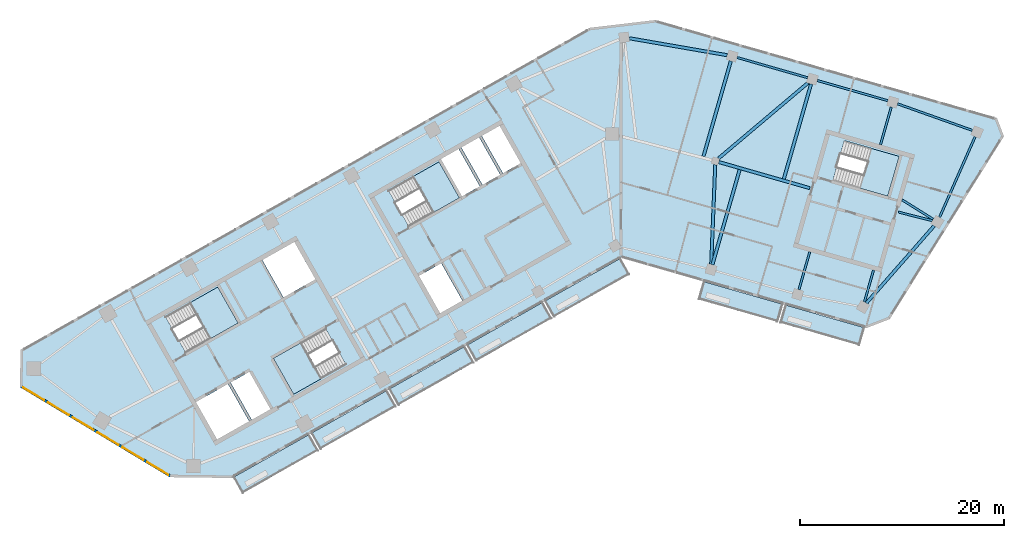
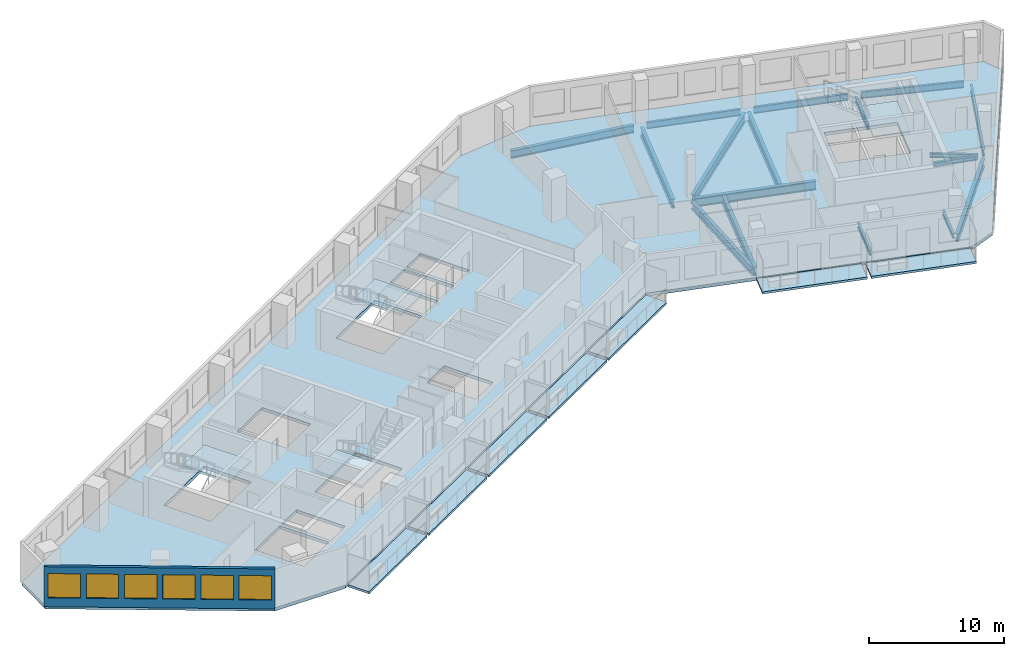
# One storey, part 2 of 12: 17 beams, 12 slabs, 6 windows, 1 wall, 6 openings, 4 elements without a shape of their own.
"""IFC4 building model written with IfcOpenShell, lengths in metres."""

import ifcopenshell
import ifcopenshell.guid

model = None  # the IFC model being written
_history = None  # IfcOwnerHistory: only IFC2X3 demands one
_inside = {}  # id of a spatial element -> (the spatial element, [elements in it])
_under = {}  # id of a project, library or spatial element -> (it, [spatial elements below it])
_declared = {}  # id of a project -> (the project, [libraries it declares])
_typed = {}  # id of a type object -> (the type object, [elements of that type])
_made_of = {}  # id of a material, layer set ... -> (it, [elements and type objects made of it])


def new_model(schema):
    """Start an empty IFC model of exactly this schema.

    Asked for "IFC4X3", IfcOpenShell would pick the latest addendum, in which some entities
    have other attributes; the version numbers below select the first issue.
    IFC2X3 requires an IfcOwnerHistory on every rooted entity: one is made here for all.
    """
    global model, _history
    if schema == "IFC4X3":
        model = ifcopenshell.file(schema_version=(4, 3, 0, 0))
    else:
        model = ifcopenshell.file(schema=schema)
    _inside.clear()
    _under.clear()
    _declared.clear()
    _typed.clear()
    _made_of.clear()
    _history = None
    if model.schema == "IFC2X3":
        org = make("IfcOrganization", Name="unknown")
        user = make(
            "IfcPersonAndOrganization",
            ThePerson=make("IfcPerson", FamilyName="unknown"),
            TheOrganization=org,
        )
        app = make(
            "IfcApplication",
            ApplicationDeveloper=org,
            Version="unknown",
            ApplicationFullName="unknown",
            ApplicationIdentifier="unknown",
        )
        _history = make(
            "IfcOwnerHistory",
            OwningUser=user,
            OwningApplication=app,
            ChangeAction="ADDED",
            CreationDate=0,
        )
    return model


def make(cls, **values):
    """One entity of the class cls with the attributes given. An attribute that is None is left unset."""
    return model.create_entity(
        cls, **{name: value for name, value in values.items() if value is not None}
    )


def rooted(cls, **values):
    """An entity with a GlobalId (a new one), such as an element, a storey or a relation."""
    return make(cls, GlobalId=ifcopenshell.guid.new(), OwnerHistory=_history, **values)


def si_unit(unit_type, name, prefix=None):
    """IfcSIUnit, for example si_unit("LENGTHUNIT", "METRE", prefix="MILLI")."""
    return make("IfcSIUnit", UnitType=unit_type, Prefix=prefix, Name=name)


def assignment(units):
    """IfcUnitAssignment: the units of a project."""
    return None if units is None else make("IfcUnitAssignment", Units=units)


def point(xyz):
    """IfcCartesianPoint."""
    return None if xyz is None else make("IfcCartesianPoint", Coordinates=xyz)


def direction(xyz):
    """IfcDirection."""
    return None if xyz is None else make("IfcDirection", DirectionRatios=xyz)


def frame(location, z_axis=None, x_axis=None):
    """IfcAxis2Placement3D, a coordinate frame: its origin and axes. An axis left out is left unset."""
    return make(
        "IfcAxis2Placement3D",
        Location=point(location),
        Axis=direction(z_axis),
        RefDirection=direction(x_axis),
    )


def frame_2d(location, x_axis=None):
    """IfcAxis2Placement2D, a coordinate frame in the plane: its origin and x axis."""
    return make(
        "IfcAxis2Placement2D", Location=point(location), RefDirection=direction(x_axis)
    )


def origin():
    """The frame at (0, 0, 0) with its axes left unset."""
    return frame((0.0, 0.0, 0.0))


def origin_2d():
    """The frame at (0, 0) in the plane with its x axis left unset."""
    return frame_2d((0.0, 0.0))


def place(relative_to, where):
    """IfcLocalPlacement: puts the frame where relative to a parent placement (None: the world)."""
    return make(
        "IfcLocalPlacement", PlacementRelTo=relative_to, RelativePlacement=where
    )


def context(
    kind, dimensions, precision=None, world=None, true_north=None, identifier=None
):
    """IfcGeometricRepresentationContext, for example the 3D "Model" context."""
    return make(
        "IfcGeometricRepresentationContext",
        ContextIdentifier=identifier,
        ContextType=kind,
        CoordinateSpaceDimension=dimensions,
        Precision=precision,
        WorldCoordinateSystem=world,
        TrueNorth=true_north,
    )


def subcontext(parent, identifier, kind, view, scale=None):
    """IfcGeometricRepresentationSubContext, for example "Body" below "Model"."""
    return make(
        "IfcGeometricRepresentationSubContext",
        ContextIdentifier=identifier,
        ContextType=kind,
        ParentContext=parent,
        TargetScale=scale,
        TargetView=view,
    )


def project(units=None, contexts=None):
    """IfcProject with its units and contexts."""
    return rooted(
        "IfcProject",
        Name="project",
        RepresentationContexts=contexts,
        UnitsInContext=assignment(units),
    )


def spatial(cls, under=None, at=None, **own):
    """A site, building, storey or space (cls), placed at a placement, below another one or the project."""
    s = rooted(cls, ObjectPlacement=at, **own)
    if under is not None:
        _under.setdefault(under.id(), (under, []))[1].append(s)
    return s


def polyline(points):
    """IfcPolyline through the points."""
    return make("IfcPolyline", Points=[point(p) for p in points])


def profile(cls, at=None, kind="AREA", **sizes):
    """A parametric profile (cls). Its sizes go by their IFC names, for example OverallWidth=200.0."""
    return make(cls, ProfileType=kind, Position=at, **sizes)


def rectangle(**sizes):
    """IfcRectangleProfileDef."""
    return profile("IfcRectangleProfileDef", **sizes)


def i_section(**sizes):
    """IfcIShapeProfileDef."""
    return profile("IfcIShapeProfileDef", **sizes)


def outline(outer, holes=None, kind="AREA"):
    """IfcArbitraryClosedProfileDef: a profile drawn as a closed curve; with holes, ...WithVoids."""
    if holes is None:
        return make("IfcArbitraryClosedProfileDef", ProfileType=kind, OuterCurve=outer)
    return make(
        "IfcArbitraryProfileDefWithVoids",
        ProfileType=kind,
        OuterCurve=outer,
        InnerCurves=holes,
    )


def extrude(swept, where, along, depth):
    """IfcExtrudedAreaSolid: the profile swept, set in the frame where, extruded along a direction by depth."""
    return make(
        "IfcExtrudedAreaSolid",
        SweptArea=swept,
        Position=where,
        ExtrudedDirection=direction(along),
        Depth=depth,
    )


def shape(context_of_items, identifier, shape_type, items):
    """IfcShapeRepresentation: the items that make up one representation, for example the "Body"."""
    return make(
        "IfcShapeRepresentation",
        ContextOfItems=context_of_items,
        RepresentationIdentifier=identifier,
        RepresentationType=shape_type,
        Items=items,
    )


def material(Name=None, Category=None):
    """IfcMaterial."""
    return make("IfcMaterial", Name=Name, Category=Category)


def layer(
    of_material, thickness, ventilated=None, Name=None, Category=None, Priority=None
):
    """IfcMaterialLayer: one layer of a wall or slab, of a material (None: an air gap)."""
    return make(
        "IfcMaterialLayer",
        Material=of_material,
        LayerThickness=thickness,
        IsVentilated=ventilated,
        Name=Name,
        Category=Category,
        Priority=Priority,
    )


def layer_set(layers, Name=None):
    """IfcMaterialLayerSet."""
    return make("IfcMaterialLayerSet", MaterialLayers=layers, LayerSetName=Name)


def material_profile(
    of_material, cross_section, Name=None, Category=None, Priority=None
):
    """IfcMaterialProfile: a cross section and its material."""
    return make(
        "IfcMaterialProfile",
        Name=Name,
        Material=of_material,
        Profile=cross_section,
        Priority=Priority,
        Category=Category,
    )


def profile_set(profiles, Name=None, composite=None):
    """IfcMaterialProfileSet."""
    return make(
        "IfcMaterialProfileSet",
        Name=Name,
        MaterialProfiles=profiles,
        CompositeProfile=composite,
    )


def made_of(thing, what):
    """Note that an element or type object is made of a material, layer set ...; save() writes the relation."""
    if what is not None:
        _made_of.setdefault(what.id(), (what, []))[1].append(thing)
    return thing


def type_object(cls, material=None, **own):
    """A type object (cls), such as IfcWallType, which elements share."""
    return made_of(rooted(cls, **own), material)


def element(
    cls,
    number,
    at=None,
    inside=None,
    cuts=None,
    type_object=None,
    material=None,
    context=None,
    identifier="Body",
    shape_type=None,
    held_by="IfcProductDefinitionShape",
    body=None,
    shapes=None,
    **own,
):
    """One element of the class cls, such as IfcWall. Its Tag is "e" and its number.

    at: its placement. inside: the storey or other place that contains it. cuts: it is an
    opening in that element (IfcRelVoidsElement). A single representation is given by context,
    identifier, shape_type and body (its items); several are given by shapes. held_by: the class
    of the entity that holds the representations. save() writes the other relations.
    """
    e = rooted(cls, Tag="e%d" % number, ObjectPlacement=at, **own)
    if body is not None:
        shapes = [shape(context, identifier, shape_type, body)]
    if shapes is not None:
        e.Representation = make(held_by, Representations=shapes)
    if inside is not None:
        _inside.setdefault(inside.id(), (inside, []))[1].append(e)
    if cuts is not None:
        rooted(
            "IfcRelVoidsElement", RelatingBuildingElement=cuts, RelatedOpeningElement=e
        )
    if type_object is not None:
        _typed.setdefault(type_object.id(), (type_object, []))[1].append(e)
    return made_of(e, material)


def fill(opening, filler):
    """IfcRelFillsElement: the door or window that sits in an opening."""
    return rooted(
        "IfcRelFillsElement",
        RelatingOpeningElement=opening,
        RelatedBuildingElement=filler,
    )


def aggregate(whole, parts):
    """IfcRelAggregates: a whole, such as a stair, and the parts it consists of."""
    return rooted("IfcRelAggregates", RelatingObject=whole, RelatedObjects=parts)


def save(model, path):
    """Write the relations noted so far, then the file.

    IfcRelAggregates (storeys below a building ...), IfcRelContainedInSpatialStructure (elements
    in a storey), IfcRelDefinesByType, IfcRelAssociatesMaterial and IfcRelDeclares: one each for
    every whole, place, type object, material and project.
    """
    for whole, parts in _under.values():
        aggregate(whole, parts)
    for where, things in _inside.values():
        rooted(
            "IfcRelContainedInSpatialStructure",
            RelatedElements=things,
            RelatingStructure=where,
        )
    for kind, things in _typed.values():
        rooted("IfcRelDefinesByType", RelatedObjects=things, RelatingType=kind)
    for what, things in _made_of.values():
        rooted("IfcRelAssociatesMaterial", RelatedObjects=things, RelatingMaterial=what)
    for by, libraries in _declared.values():
        rooted("IfcRelDeclares", RelatingContext=by, RelatedDefinitions=libraries)
    model.write(path)


model = new_model("IFC4")

# Units and contexts
model_context = context("Model", 3, precision=1e-05, world=origin(), true_north=direction((0.0, 1.0)))
body_context = subcontext(model_context, "Body", "Model", "MODEL_VIEW")
ifc_project = project(units=[si_unit("LENGTHUNIT", "METRE"), si_unit("AREAUNIT", "SQUARE_METRE"), si_unit("VOLUMEUNIT", "CUBIC_METRE"), si_unit("PLANEANGLEUNIT", "RADIAN"), si_unit("MASSUNIT", "GRAM", prefix="KILO")], contexts=[model_context])

# Site, building, storey
site_placement = place(None, origin())
site = spatial("IfcSite", under=ifc_project, at=site_placement, CompositionType="ELEMENT")
building_placement = place(site_placement, origin())
building = spatial("IfcBuilding", under=site, at=building_placement, Name="Binnacle Exchange Tower", CompositionType="ELEMENT")
storey_placement = place(building_placement, frame((0.0, 0.0, 250.39990234375)))
storey = spatial("IfcBuildingStorey", under=building, at=storey_placement, Name="L55", CompositionType="ELEMENT", Elevation=250.39990234375)

# Beams
ifc_material_1 = material(Name="Steel S355 (SHN355)", Category="steel")
ifc_material_profile_1 = material_profile(ifc_material_1, i_section(OverallWidth=0.199951171875, OverallDepth=0.60009765625, WebThickness=0.010986328125, FlangeThickness=0.01708984375, FilletRadius=0.02197265625, at=origin_2d()), Name="H 600x200x11x17")
ifc_profile_set_1 = profile_set([ifc_material_profile_1], Name="Steel S355 (SHN355)")
beam_type_1 = type_object("IfcBeamType", Name="Edge girder H 600x200x11x17 Steel S355 (SHN355)", PredefinedType="SPANDREL", material=ifc_profile_set_1)
beam_1_placement = place(storey_placement, frame((18.265625, 65.513916015625, -0.579833984375), z_axis=(-0.961255050864, 0.275660528891, 0.0), x_axis=(-0.275660528891, -0.961255050864, 0.0)))
element("IfcBeam", 1, at=beam_1_placement, inside=storey, type_object=beam_type_1, Name="S:BM:edge:L55:029", PredefinedType="SPANDREL", context=body_context, shape_type="SweptSolid", body=[
    extrude(i_section(OverallWidth=0.199951171875, OverallDepth=0.60009765625, WebThickness=0.010986328125, FlangeThickness=0.01708984375, FilletRadius=0.02197265625, at=origin_2d()), origin(), (0.0, 0.0, 1.0), 7.1728515625),
])
beam_2_placement = place(storey_placement, frame((26.1220703125, 63.26123046875, -0.579833984375), z_axis=(-0.96126665508, 0.275620060647, 0.0), x_axis=(-0.275620060647, -0.96126665508, 0.0)))
element("IfcBeam", 2, at=beam_2_placement, inside=storey, type_object=beam_type_1, Name="S:BM:edge:L55:031", PredefinedType="SPANDREL", context=body_context, shape_type="SweptSolid", body=[
    extrude(i_section(OverallWidth=0.199951171875, OverallDepth=0.60009765625, WebThickness=0.010986328125, FlangeThickness=0.01708984375, FilletRadius=0.02197265625, at=origin_2d()), origin(), (0.0, 0.0, 1.0), 7.173095703125),
])
ifc_material_profile_2 = material_profile(ifc_material_1, i_section(OverallWidth=0.200927734375, OverallDepth=0.60595703125, WebThickness=0.011962890625, FlangeThickness=0.02001953125, FilletRadius=0.02197265625, at=origin_2d()), Name="H 606x201x12x20")
ifc_profile_set_2 = profile_set([ifc_material_profile_2], Name="Steel S355 (SHN355)")
beam_type_2 = type_object("IfcBeamType", Name="Edge girder H 606x201x12x20 Steel S355 (SHN355)", PredefinedType="SPANDREL", material=ifc_profile_set_2)
beam_3_placement = place(storey_placement, frame((34.3984375, 60.3544921875, -0.5830078125), z_axis=(-0.942323270608, 0.334704128553, 0.0), x_axis=(-0.334704128553, -0.942323270608, 0.0)))
element("IfcBeam", 3, at=beam_3_placement, inside=storey, type_object=beam_type_2, Name="S:BM:edge:L55:033", PredefinedType="SPANDREL", context=body_context, shape_type="SweptSolid", body=[
    extrude(i_section(OverallWidth=0.200927734375, OverallDepth=0.60595703125, WebThickness=0.011962890625, FlangeThickness=0.02001953125, FilletRadius=0.02197265625, at=origin_2d()), origin(), (0.0, 0.0, 1.0), 7.77197265625),
])
ifc_material_profile_3 = material_profile(ifc_material_1, i_section(OverallWidth=0.201904296875, OverallDepth=0.612060546875, WebThickness=0.012939453125, FlangeThickness=0.02294921875, FilletRadius=0.02197265625, at=origin_2d()), Name="H 612x202x13x23")
ifc_profile_set_3 = profile_set([ifc_material_profile_3], Name="Steel S355 (SHN355)")
beam_type_3 = type_object("IfcBeamType", Name="Edge girder H 612x202x13x23 Steel S355 (SHN355)", PredefinedType="SPANDREL", material=ifc_profile_set_3)
beam_4_placement = place(storey_placement, frame((31.193359375, 51.848388671875, -0.5859375), z_axis=(0.403459457176, 0.914997522628, 0.0), x_axis=(-0.914997522628, 0.403459457176, 0.0)))
element("IfcBeam", 4, at=beam_4_placement, inside=storey, type_object=beam_type_3, Name="S:BM:edge:L55:032", PredefinedType="SPANDREL", context=body_context, shape_type="SweptSolid", body=[
    extrude(i_section(OverallWidth=0.201904296875, OverallDepth=0.612060546875, WebThickness=0.012939453125, FlangeThickness=0.02294921875, FilletRadius=0.02197265625, at=origin_2d()), origin(), (0.0, 0.0, 1.0), 8.61328125),
])
ifc_material_profile_4 = material_profile(ifc_material_1, i_section(OverallWidth=0.300048828125, OverallDepth=0.699951171875, WebThickness=0.012939453125, FlangeThickness=0.02392578125, FilletRadius=0.028076171875, at=origin_2d()), Name="H 700x300x13x24")
ifc_profile_set_4 = profile_set([ifc_material_profile_4], Name="Steel S355 (SHN355)")
beam_type_4 = type_object("IfcBeamType", Name="Edge girder H 700x300x13x24 Steel S355 (SHN355)", PredefinedType="SPANDREL", material=ifc_profile_set_4)
beam_5_placement = place(storey_placement, frame((10.39453125, 67.71484375, -0.6298828125), z_axis=(-0.985315512383, 0.170743494921, 0.0), x_axis=(-0.170743494921, -0.985315512383, 0.0)))
element("IfcBeam", 5, at=beam_5_placement, inside=storey, type_object=beam_type_4, Name="S:BM:edge:L55:027", PredefinedType="SPANDREL", context=body_context, shape_type="SweptSolid", body=[
    extrude(i_section(OverallWidth=0.300048828125, OverallDepth=0.699951171875, WebThickness=0.012939453125, FlangeThickness=0.02392578125, FilletRadius=0.028076171875, at=origin_2d()), origin(), (0.0, 0.0, 1.0), 9.72314453125),
])
beam_6_placement = place(storey_placement, frame((24.026123046875, 43.44580078125, -0.6298828125), z_axis=(0.659336218273, 0.751848223562, 0.0), x_axis=(-0.751848223562, 0.659336218273, 0.0)))
element("IfcBeam", 6, at=beam_6_placement, inside=storey, type_object=beam_type_4, Name="S:BM:edge:L55:030", PredefinedType="SPANDREL", context=body_context, shape_type="SweptSolid", body=[
    extrude(i_section(OverallWidth=0.300048828125, OverallDepth=0.699951171875, WebThickness=0.012939453125, FlangeThickness=0.02392578125, FilletRadius=0.028076171875, at=origin_2d()), origin(), (0.0, 0.0, 1.0), 10.0546875),
])
ifc_material_profile_5 = material_profile(ifc_material_1, i_section(OverallWidth=0.199951171875, OverallDepth=0.39990234375, WebThickness=0.008056640625, FlangeThickness=0.012939453125, FilletRadius=0.01611328125, at=origin_2d()), Name="H 400x200x8x13")
ifc_profile_set_5 = profile_set([ifc_material_profile_5], Name="Steel S355 (SHN355)")
beam_type_5 = type_object("IfcBeamType", Name="Floor beam H 400x200x8x13 Steel S355 (SHN355)", PredefinedType="BEAM", material=ifc_profile_set_5)
beam_7_placement = place(storey_placement, frame((23.832275390625, 43.55810546875, -0.47998046875), z_axis=(0.275607869103, 0.961270150628, 0.0), x_axis=(-0.961270150628, 0.275607869103, 0.0)))
element("IfcBeam", 7, at=beam_7_placement, inside=storey, type_object=beam_type_5, Name="S:BM:cross:L55:051", PredefinedType="BEAM", context=body_context, shape_type="SweptSolid", body=[
    extrude(i_section(OverallWidth=0.199951171875, OverallDepth=0.39990234375, WebThickness=0.008056640625, FlangeThickness=0.012939453125, FilletRadius=0.01611328125, at=origin_2d()), origin(), (0.0, 0.0, 1.0), 3.23583984375),
])
beam_8_placement = place(storey_placement, frame((30.5654296875, 51.6513671875, -0.47998046875), z_axis=(-0.848078408173, 0.529870751779, 0.0), x_axis=(-0.529870751779, -0.848078408173, 0.0)))
element("IfcBeam", 8, at=beam_8_placement, inside=storey, type_object=beam_type_5, Name="S:BM:cross:L55:053", PredefinedType="BEAM", context=body_context, shape_type="SweptSolid", body=[
    extrude(i_section(OverallWidth=0.199951171875, OverallDepth=0.39990234375, WebThickness=0.008056640625, FlangeThickness=0.012939453125, FilletRadius=0.01611328125, at=origin_2d()), origin(), (0.0, 0.0, 1.0), 3.59521484375),
])
ifc_material_profile_6 = material_profile(ifc_material_1, i_section(OverallWidth=0.199951171875, OverallDepth=0.449951171875, WebThickness=0.009033203125, FlangeThickness=0.013916015625, FilletRadius=0.01806640625, at=origin_2d()), Name="H 450x200x9x14")
ifc_profile_set_6 = profile_set([ifc_material_profile_6], Name="Steel S355 (SHN355)")
beam_type_6 = type_object("IfcBeamType", Name="Floor beam H 450x200x9x14 Steel S355 (SHN355)", PredefinedType="BEAM", material=ifc_profile_set_6)
for number, where, z_axis, x_axis, name in (
    (9, (17.426025390625, 44.771728515625, -0.5048828125), (0.27564586602, 0.961259255636, 0.0), (-0.961259255636, 0.27564586602, 0.0), "S:BM:cross:L55:049"),
    (10, (26.46484375, 62.642822265625, -0.5048828125), (-0.27564586602, -0.961259255636, 0.0), (0.961259255636, -0.27564586602, 0.0), "S:BM:cross:L55:052"),
):
    element("IfcBeam", number, at=place(storey_placement, frame(where, z_axis=z_axis, x_axis=x_axis)), inside=storey, type_object=beam_type_6, Name=name, PredefinedType="BEAM", context=body_context, shape_type="SweptSolid", body=[
        extrude(i_section(OverallWidth=0.199951171875, OverallDepth=0.449951171875, WebThickness=0.009033203125, FlangeThickness=0.013916015625, FilletRadius=0.01806640625, at=origin_2d()), origin(), (0.0, 0.0, 1.0), 3.835205078125),
    ])
ifc_material_profile_7 = material_profile(ifc_material_1, i_section(OverallWidth=0.300048828125, OverallDepth=0.800048828125, WebThickness=0.013916015625, FlangeThickness=0.02587890625, FilletRadius=0.028076171875, at=origin_2d()), Name="H 800x300x14x26")
ifc_profile_set_7 = profile_set([ifc_material_profile_7], Name="Steel S355 (SHN355)")
beam_type_7 = type_object("IfcBeamType", Name="Floor beam H 800x300x14x26 Steel S355 (SHN355)", PredefinedType="BEAM", material=ifc_profile_set_7)
beam_9_placement = place(storey_placement, frame((8.947265625, 47.202880859375, -0.679931640625), z_axis=(0.275643212873, 0.961260016435, 0.0), x_axis=(-0.961260016435, 0.275643212873, 0.0)))
element("IfcBeam", 11, at=beam_9_placement, inside=storey, type_object=beam_type_7, Name="S:BM:cross:L55:047", PredefinedType="BEAM", context=body_context, shape_type="SweptSolid", body=[
    extrude(i_section(OverallWidth=0.300048828125, OverallDepth=0.800048828125, WebThickness=0.013916015625, FlangeThickness=0.02587890625, FilletRadius=0.028076171875, at=origin_2d()), origin(), (0.0, 0.0, 1.0), 9.685302734375),
])
beam_10_placement = place(storey_placement, frame((10.752197265625, 67.1484375, -0.679931640625), z_axis=(-0.275623948616, -0.96126554029, 0.0), x_axis=(0.96126554029, -0.275623948616, 0.0)))
element("IfcBeam", 12, at=beam_10_placement, inside=storey, type_object=beam_type_7, Name="S:BM:cross:L55:048", PredefinedType="BEAM", context=body_context, shape_type="SweptSolid", body=[
    extrude(i_section(OverallWidth=0.300048828125, OverallDepth=0.800048828125, WebThickness=0.013916015625, FlangeThickness=0.02587890625, FilletRadius=0.028076171875, at=origin_2d()), origin(), (0.0, 0.0, 1.0), 9.71337890625),
])
beam_11_placement = place(storey_placement, frame((18.6083984375, 64.8955078125, -0.679931640625), z_axis=(-0.275626599208, -0.961264780281, 0.0), x_axis=(0.961264780281, -0.275626599208, 0.0)))
element("IfcBeam", 13, at=beam_11_placement, inside=storey, type_object=beam_type_7, Name="S:BM:cross:L55:050", PredefinedType="BEAM", context=body_context, shape_type="SweptSolid", body=[
    extrude(i_section(OverallWidth=0.300048828125, OverallDepth=0.800048828125, WebThickness=0.013916015625, FlangeThickness=0.02587890625, FilletRadius=0.028076171875, at=origin_2d()), origin(), (0.0, 0.0, 1.0), 9.68505859375),
])
ifc_material_profile_8 = material_profile(ifc_material_1, i_section(OverallWidth=0.199951171875, OverallDepth=0.39990234375, WebThickness=0.008056640625, FlangeThickness=0.012939453125, FilletRadius=0.01611328125, at=origin_2d()), Name="H 400x200x8x13")
ifc_profile_set_8 = profile_set([ifc_material_profile_8], Name="Steel S355 (SHN355)")
beam_type_8 = type_object("IfcBeamType", Name="Spine girder H 400x200x8x13 Steel S355 (SHN355)", PredefinedType="BEAM", material=ifc_profile_set_8)
beam_12_placement = place(storey_placement, frame((27.17138671875, 52.35400390625, -0.47998046875), z_axis=(0.969354959992, -0.245664326957, 0.0), x_axis=(0.245664326957, 0.969354959992, 0.0)))
element("IfcBeam", 14, at=beam_12_placement, inside=storey, type_object=beam_type_8, Name="S:BM:spine:L55:010", PredefinedType="BEAM", context=body_context, shape_type="SweptSolid", body=[
    extrude(i_section(OverallWidth=0.199951171875, OverallDepth=0.39990234375, WebThickness=0.008056640625, FlangeThickness=0.012939453125, FilletRadius=0.01611328125, at=origin_2d()), origin(), (0.0, 0.0, 1.0), 3.41357421875),
])
ifc_material_profile_9 = material_profile(ifc_material_1, i_section(OverallWidth=0.300048828125, OverallDepth=0.699951171875, WebThickness=0.012939453125, FlangeThickness=0.02392578125, FilletRadius=0.028076171875, at=origin_2d()), Name="H 700x300x13x24")
ifc_profile_set_9 = profile_set([ifc_material_profile_9], Name="Steel S355 (SHN355)")
beam_type_9 = type_object("IfcBeamType", Name="Spine girder H 700x300x13x24 Steel S355 (SHN355)", PredefinedType="BEAM", material=ifc_profile_set_9)
beam_13_placement = place(storey_placement, frame((9.226318359375, 56.990234375, -0.6298828125), z_axis=(-0.040566314933, -0.999176848257, 0.0), x_axis=(0.999176848257, -0.040566314933, 0.0)))
element("IfcBeam", 15, at=beam_13_placement, inside=storey, type_object=beam_type_9, Name="S:BM:spine:L55:007", PredefinedType="BEAM", context=body_context, shape_type="SweptSolid", body=[
    extrude(i_section(OverallWidth=0.300048828125, OverallDepth=0.699951171875, WebThickness=0.012939453125, FlangeThickness=0.02392578125, FilletRadius=0.028076171875, at=origin_2d()), origin(), (0.0, 0.0, 1.0), 9.76171875),
])
ifc_material_profile_10 = material_profile(ifc_material_1, i_section(OverallWidth=0.300048828125, OverallDepth=0.800048828125, WebThickness=0.013916015625, FlangeThickness=0.02587890625, FilletRadius=0.028076171875, at=origin_2d()), Name="H 800x300x14x26")
ifc_profile_set_10 = profile_set([ifc_material_profile_10], Name="Steel S355 (SHN355)")
beam_type_10 = type_object("IfcBeamType", Name="Spine girder H 800x300x14x26 Steel S355 (SHN355)", PredefinedType="BEAM", material=ifc_profile_set_10)
beam_14_placement = place(storey_placement, frame((9.577392578125, 57.253662109375, -0.679931640625), z_axis=(0.961262936931, -0.275633027924, 0.0), x_axis=(0.275633027924, 0.961262936931, 0.0)))
element("IfcBeam", 16, at=beam_14_placement, inside=storey, type_object=beam_type_10, Name="S:BM:spine:L55:009", PredefinedType="BEAM", context=body_context, shape_type="SweptSolid", body=[
    extrude(i_section(OverallWidth=0.300048828125, OverallDepth=0.800048828125, WebThickness=0.013916015625, FlangeThickness=0.02587890625, FilletRadius=0.028076171875, at=origin_2d()), origin(), (0.0, 0.0, 1.0), 9.26318359375),
])
ifc_material_profile_11 = material_profile(ifc_material_1, i_section(OverallWidth=0.302001953125, OverallDepth=0.80810546875, WebThickness=0.01611328125, FlangeThickness=0.030029296875, FilletRadius=0.028076171875, at=origin_2d()), Name="H 808x302x16x30")
ifc_profile_set_11 = profile_set([ifc_material_profile_11], Name="Steel S355 (SHN355)")
beam_type_11 = type_object("IfcBeamType", Name="Spine girder H 808x302x16x30 Steel S355 (SHN355)", PredefinedType="BEAM", material=ifc_profile_set_11)
beam_15_placement = place(storey_placement, frame((9.562744140625, 57.6220703125, -0.683837890625), z_axis=(0.764068797706, 0.645134770704, 0.0), x_axis=(-0.645134770704, 0.764068797706, 0.0)))
element("IfcBeam", 17, at=beam_15_placement, inside=storey, type_object=beam_type_11, Name="S:BM:spine:L55:008", PredefinedType="BEAM", context=body_context, shape_type="SweptSolid", body=[
    extrude(i_section(OverallWidth=0.302001953125, OverallDepth=0.80810546875, WebThickness=0.01611328125, FlangeThickness=0.030029296875, FilletRadius=0.028076171875, at=origin_2d()), origin(), (0.0, 0.0, 1.0), 11.417236328125),
])

# Slabs
ifc_material_2 = material(Name="Concrete C35/45", Category="concrete")
ifc_layer_1 = layer(ifc_material_2, 0.199951171875)
ifc_layer_set_1 = layer_set([ifc_layer_1], Name="BALCONY SLAB 200")
slab_type_1 = type_object("IfcSlabType", Name="BALCONY SLAB 200", PredefinedType="FLOOR", material=ifc_layer_set_1)
slab_1_placement = place(storey_placement, frame((0.0, 0.0, -0.199951171875)))
element("IfcSlab", 18, at=slab_1_placement, inside=storey, type_object=slab_type_1, Name="Balcony BA-G01-00 L55", PredefinedType="FLOOR", context=body_context, shape_type="SweptSolid", body=[
    extrude(outline(polyline([(-37.90576171875, 26.410400390625), (-30.54736328125, 30.573486328125), (-29.660888671875, 29.0068359375), (-37.019287109375, 24.84375), (-37.90576171875, 26.410400390625)])), origin(), (0.0, 0.0, 1.0), 0.199951171875),
])
slab_2_placement = place(storey_placement, frame((0.0, 0.0, -0.199951171875)))
element("IfcSlab", 19, at=slab_2_placement, inside=storey, type_object=slab_type_1, Name="Balcony BA-G01-01 L55", PredefinedType="FLOOR", context=body_context, shape_type="SweptSolid", body=[
    extrude(outline(polyline([(-30.2861328125, 30.72119140625), (-22.927734375, 34.884521484375), (-22.041259765625, 33.31787109375), (-29.39990234375, 29.15478515625), (-30.2861328125, 30.72119140625)])), origin(), (0.0, 0.0, 1.0), 0.199951171875),
])
slab_3_placement = place(storey_placement, frame((0.0, 0.0, -0.199951171875)))
element("IfcSlab", 20, at=slab_3_placement, inside=storey, type_object=slab_type_1, Name="Balcony BA-G01-02 L55", PredefinedType="FLOOR", context=body_context, shape_type="SweptSolid", body=[
    extrude(outline(polyline([(-22.66650390625, 35.0322265625), (-15.30810546875, 39.195556640625), (-14.421875, 37.62890625), (-21.7802734375, 33.465576171875), (-22.66650390625, 35.0322265625)])), origin(), (0.0, 0.0, 1.0), 0.199951171875),
])
slab_4_placement = place(storey_placement, frame((0.0, 0.0, -0.199951171875)))
element("IfcSlab", 21, at=slab_4_placement, inside=storey, type_object=slab_type_1, Name="Balcony BA-G01-03 L55", PredefinedType="FLOOR", context=body_context, shape_type="SweptSolid", body=[
    extrude(outline(polyline([(-15.047119140625, 39.34326171875), (-7.6884765625, 43.50634765625), (-6.802001953125, 41.939697265625), (-14.16064453125, 37.776611328125), (-15.047119140625, 39.34326171875)])), origin(), (0.0, 0.0, 1.0), 0.199951171875),
])
slab_5_placement = place(storey_placement, frame((0.0, 0.0, -0.199951171875)))
element("IfcSlab", 22, at=slab_5_placement, inside=storey, type_object=slab_type_1, Name="Balcony BA-G01-04 L55", PredefinedType="FLOOR", context=body_context, shape_type="SweptSolid", body=[
    extrude(outline(polyline([(-7.427490234375, 43.654296875), (-0.069091796875, 47.8173828125), (0.8173828125, 46.250732421875), (-6.541015625, 42.08740234375), (-7.427490234375, 43.654296875)])), origin(), (0.0, 0.0, 1.0), 0.199951171875),
])
slab_6_placement = place(storey_placement, frame((0.0, 0.0, -0.199951171875)))
element("IfcSlab", 23, at=slab_6_placement, inside=storey, type_object=slab_type_1, Name="Balcony BA-G02-01 L55", PredefinedType="FLOOR", context=body_context, shape_type="SweptSolid", body=[
    extrude(outline(polyline([(8.10791015625, 45.545166015625), (15.8173828125, 43.33447265625), (15.3212890625, 41.60400390625), (7.61181640625, 43.814697265625), (8.10791015625, 45.545166015625)])), origin(), (0.0, 0.0, 1.0), 0.199951171875),
])
slab_7_placement = place(storey_placement, frame((0.0, 0.0, -0.199951171875)))
element("IfcSlab", 24, at=slab_7_placement, inside=storey, type_object=slab_type_1, Name="Balcony BA-G02-02 L55", PredefinedType="FLOOR", context=body_context, shape_type="SweptSolid", body=[
    extrude(outline(polyline([(16.10595703125, 43.251708984375), (23.815673828125, 41.041015625), (23.319580078125, 39.310791015625), (15.60986328125, 41.521484375), (16.10595703125, 43.251708984375)])), origin(), (0.0, 0.0, 1.0), 0.199951171875),
])
ifc_layer_2 = layer(ifc_material_2, 0.280029296875)
ifc_layer_set_2 = layer_set([ifc_layer_2], Name="Floor slab 280 Concrete C35/45")
slab_type_2 = type_object("IfcSlabType", Name="Floor slab 280 Concrete C35/45", PredefinedType="FLOOR", material=ifc_layer_set_2)
slab_8_placement = place(storey_placement, frame((0.0, 0.0, -0.27978515625)))
element("IfcSlab", 25, at=slab_8_placement, inside=storey, type_object=slab_type_2, Name="S:SL:L55:01", PredefinedType="FLOOR", context=body_context, shape_type="SweptSolid", body=[
    extrude(outline(polyline([(-58.716064453125, 35.280029296875), (-58.669921875, 38.80615234375), (-3.046142578125, 70.276611328125), (3.364501953125, 71.035400390625), (36.71240234375, 61.472900390625), (37.359375, 59.787353515625), (26.23095703125, 41.978515625), (23.994140625, 41.119873046875), (0.0, 48.0), (-38.097900390625, 26.4453125), (-44.14404296875, 26.5244140625), (-58.716064453125, 35.280029296875)]), holes=[polyline([(-38.4794921875, 35.529296875), (-41.61279296875, 33.756591796875), (-39.544677734375, 30.10107421875), (-36.411376953125, 31.873779296875), (-38.4794921875, 35.529296875)]), polyline([(-36.390625, 36.711181640625), (-38.21826171875, 35.677001953125), (-36.150146484375, 32.021484375), (-34.322509765625, 33.0556640625), (-36.390625, 36.711181640625)]), polyline([(-32.04638671875, 34.515625), (-26.9287109375, 37.4111328125), (-28.923095703125, 40.93603515625), (-34.040771484375, 38.04052734375), (-32.04638671875, 34.515625)]), polyline([(-37.486572265625, 41.4912109375), (-39.480712890625, 45.01611328125), (-44.598388671875, 42.12060546875), (-42.604248046875, 38.595703125), (-37.486572265625, 41.4912109375)]), polyline([(-29.914306640625, 45.775390625), (-31.982666015625, 49.430908203125), (-35.115966796875, 47.657958984375), (-33.047607421875, 44.00244140625), (-29.914306640625, 45.775390625)]), polyline([(-17.81689453125, 57.27294921875), (-22.760498046875, 54.47607421875), (-20.76611328125, 50.950927734375), (-15.822509765625, 53.748046875), (-17.81689453125, 57.27294921875)]), polyline([(-15.53076171875, 43.6875), (-17.598876953125, 47.343017578125), (-19.77490234375, 46.11181640625), (-17.70654296875, 42.456298828125), (-15.53076171875, 43.6875)]), polyline([(-13.82080078125, 54.880615234375), (-15.888916015625, 58.5361328125), (-17.629638671875, 57.55126953125), (-15.5615234375, 53.895751953125), (-13.82080078125, 54.880615234375)]), polyline([(27.227783203125, 57.810302734375), (21.864013671875, 59.348388671875), (20.74755859375, 55.455078125), (26.111328125, 53.9169921875), (27.227783203125, 57.810302734375)]), polyline([(-11.819091796875, 56.01318359375), (-13.88720703125, 59.668701171875), (-15.6279296875, 58.683837890625), (-13.559814453125, 55.0283203125), (-11.819091796875, 56.01318359375)]), polyline([(-9.817138671875, 57.145751953125), (-11.885498046875, 60.80126953125), (-13.626220703125, 59.81640625), (-11.557861328125, 56.160888671875), (-9.817138671875, 57.145751953125)])]), origin(), (0.0, 0.0, 1.0), 0.27978515625),
])

# Stair, slab
stair_type = type_object("IfcStairType", Name="STAIR 22 RISERS 177", PredefinedType="HALF_TURN_STAIR", material=ifc_material_2)
stair_1_placement = place(storey_placement, origin())
stair_1 = element("IfcStair", 26, at=stair_1_placement, inside=storey, type_object=stair_type, Name="L55 Escape stair A1", PredefinedType="HALF_TURN_STAIR")
ifc_layer_3 = layer(ifc_material_2, 0.199951171875)
ifc_layer_set_3 = layer_set([ifc_layer_3], Name="STAIR LANDING 200")
slab_type_3 = type_object("IfcSlabType", Name="STAIR LANDING 200", PredefinedType="LANDING", material=ifc_layer_set_3)
slab_9_placement = place(storey_placement, frame((0.0, 0.0, 1.75)))
slab_9 = element("IfcSlab", 27, at=slab_9_placement, type_object=slab_type_3, Name="STA1 landing 1", PredefinedType="LANDING", context=body_context, shape_type="SweptSolid", body=[
    extrude(outline(polyline([(-40.2021484375, 39.954833984375), (-37.486572265625, 41.4912109375), (-39.48095703125, 45.01611328125), (-42.1962890625, 43.479736328125), (-40.2021484375, 39.954833984375)])), origin(), (0.0, 0.0, 1.0), 0.2001953125),
])
aggregate(stair_1, [slab_9])

stair_2_placement = place(storey_placement, origin())
stair_2 = element("IfcStair", 28, at=stair_2_placement, inside=storey, type_object=stair_type, Name="L55 Escape stair A2", PredefinedType="HALF_TURN_STAIR")
slab_10_placement = place(storey_placement, frame((0.0, 0.0, 1.75)))
slab_10 = element("IfcSlab", 29, at=slab_10_placement, type_object=slab_type_3, Name="STA2 landing 1", PredefinedType="LANDING", context=body_context, shape_type="SweptSolid", body=[
    extrude(outline(polyline([(-31.3251953125, 39.576904296875), (-34.040771484375, 38.04052734375), (-32.04638671875, 34.515625), (-29.330810546875, 36.052001953125), (-31.3251953125, 39.576904296875)])), origin(), (0.0, 0.0, 1.0), 0.2001953125),
])
aggregate(stair_2, [slab_10])

stair_3_placement = place(storey_placement, origin())
stair_3 = element("IfcStair", 30, at=stair_3_placement, inside=storey, type_object=stair_type, Name="L55 Escape stair C1", PredefinedType="HALF_TURN_STAIR")
slab_11_placement = place(storey_placement, frame((0.0, 0.0, 1.75)))
slab_11 = element("IfcSlab", 31, at=slab_11_placement, type_object=slab_type_3, Name="STC1 landing 1", PredefinedType="LANDING", context=body_context, shape_type="SweptSolid", body=[
    extrude(outline(polyline([(-18.364013671875, 52.31005859375), (-15.822509765625, 53.748046875), (-17.81689453125, 57.27294921875), (-20.3583984375, 55.8349609375), (-18.364013671875, 52.31005859375)])), origin(), (0.0, 0.0, 1.0), 0.2001953125),
])
aggregate(stair_3, [slab_11])

stair_4_placement = place(storey_placement, origin())
stair_4 = element("IfcStair", 32, at=stair_4_placement, inside=storey, type_object=stair_type, Name="L55 Escape stair D1", PredefinedType="HALF_TURN_STAIR")
slab_12_placement = place(storey_placement, frame((0.0, 0.0, 1.75)))
slab_12 = element("IfcSlab", 33, at=slab_12_placement, type_object=slab_type_3, Name="STD1 landing 1", PredefinedType="LANDING", context=body_context, shape_type="SweptSolid", body=[
    extrude(outline(polyline([(23.400634765625, 54.6943359375), (26.111328125, 53.917236328125), (27.227783203125, 57.810302734375), (24.516845703125, 58.587646484375), (23.400634765625, 54.6943359375)])), origin(), (0.0, 0.0, 1.0), 0.2001953125),
])
aggregate(stair_4, [slab_12])

# Wall, openings, windows
ifc_material_3 = material(Name="Bronze aluminium cladding", Category="aluminium")
ifc_layer_4 = layer(ifc_material_3, 0.25)
ifc_layer_set_4 = layer_set([ifc_layer_4], Name="External wall - window wall 250")
wall_type = type_object("IfcWallType", Name="External wall - window wall 250", PredefinedType="STANDARD", material=ifc_layer_set_4)
wall_placement = place(storey_placement, frame((-44.115234375, 26.507080078125, 0.0), z_axis=(0.0, 0.0, 1.0), x_axis=(-0.857166583633, 0.515039268311, 0.0)))
wall = element("IfcWall", 34, at=wall_placement, inside=storey, type_object=wall_type, Name="External wall EW-G10 L55", PredefinedType="STANDARD", context=body_context, shape_type="SweptSolid", body=[
    extrude(rectangle(XDim=17.105712890625, YDim=0.25, at=frame_2d((8.552734375, 0.0))), origin(), (0.0, 0.0, 1.0), 3.6201171875),
])
opening_1_placement = place(wall_placement, frame((14.4169921875, 0.0, 0.800048828125)))
opening_1 = element("IfcOpeningElement", 35, at=opening_1_placement, cuts=wall, Name="Opening WR1", PredefinedType="OPENING", context=body_context, shape_type="SweptSolid", body=[
    extrude(rectangle(XDim=2.39990234375, YDim=2.199951171875, at=frame_2d((1.199951171875, 1.10009765625))), frame((0.0, 0.135009765625, 0.0), z_axis=(0.0, -1.0, 0.0), x_axis=(1.0, 0.0, 0.0)), (0.0, 0.0, 1.0), 0.27001953125),
])
opening_2_placement = place(wall_placement, frame((11.583740234375, 0.0, 0.800048828125)))
opening_2 = element("IfcOpeningElement", 36, at=opening_2_placement, cuts=wall, Name="Opening WR1", PredefinedType="OPENING", context=body_context, shape_type="SweptSolid", body=[
    extrude(rectangle(XDim=2.39990234375, YDim=2.199951171875, at=frame_2d((1.199951171875, 1.10009765625))), frame((0.0, 0.135009765625, 0.0), z_axis=(0.0, -1.0, 0.0), x_axis=(1.0, 0.0, 0.0)), (0.0, 0.0, 1.0), 0.27001953125),
])
opening_3_placement = place(wall_placement, frame((8.75048828125, 0.0, 0.800048828125)))
opening_3 = element("IfcOpeningElement", 37, at=opening_3_placement, cuts=wall, Name="Opening WR1", PredefinedType="OPENING", context=body_context, shape_type="SweptSolid", body=[
    extrude(rectangle(XDim=2.39990234375, YDim=2.199951171875, at=frame_2d((1.199951171875, 1.10009765625))), frame((0.0, 0.135009765625, 0.0), z_axis=(0.0, -1.0, 0.0), x_axis=(1.0, 0.0, 0.0)), (0.0, 0.0, 1.0), 0.27001953125),
])
opening_4_placement = place(wall_placement, frame((5.9169921875, 0.0, 0.800048828125)))
opening_4 = element("IfcOpeningElement", 38, at=opening_4_placement, cuts=wall, Name="Opening WR1", PredefinedType="OPENING", context=body_context, shape_type="SweptSolid", body=[
    extrude(rectangle(XDim=2.39990234375, YDim=2.199951171875, at=frame_2d((1.199951171875, 1.10009765625))), frame((0.0, 0.135009765625, 0.0), z_axis=(0.0, -1.0, 0.0), x_axis=(1.0, 0.0, 0.0)), (0.0, 0.0, 1.0), 0.27001953125),
])
opening_5_placement = place(wall_placement, frame((3.083740234375, 0.0, 0.800048828125)))
opening_5 = element("IfcOpeningElement", 39, at=opening_5_placement, cuts=wall, Name="Opening WR1", PredefinedType="OPENING", context=body_context, shape_type="SweptSolid", body=[
    extrude(rectangle(XDim=2.39990234375, YDim=2.199951171875, at=frame_2d((1.199951171875, 1.10009765625))), frame((0.0, 0.135009765625, 0.0), z_axis=(0.0, -1.0, 0.0), x_axis=(1.0, 0.0, 0.0)), (0.0, 0.0, 1.0), 0.27001953125),
])
opening_6_placement = place(wall_placement, frame((0.25048828125, 0.0, 0.800048828125)))
opening_6 = element("IfcOpeningElement", 40, at=opening_6_placement, cuts=wall, Name="Opening WR1", PredefinedType="OPENING", context=body_context, shape_type="SweptSolid", body=[
    extrude(rectangle(XDim=2.39990234375, YDim=2.199951171875, at=frame_2d((1.199951171875, 1.10009765625))), frame((0.0, 0.135009765625, 0.0), z_axis=(0.0, -1.0, 0.0), x_axis=(1.0, 0.0, 0.0)), (0.0, 0.0, 1.0), 0.27001953125),
])
ifc_material_4 = material(Name="Bronze anodised aluminium frame", Category="aluminium")
window_type = type_object("IfcWindowType", Name="WR1 WINDOW 2400x2200", PartitioningType="SINGLE_PANEL", PredefinedType="WINDOW", material=ifc_material_4)
window_1_placement = place(opening_1_placement, origin())
window_1 = element("IfcWindow", 41, at=window_1_placement, inside=storey, type_object=window_type, Name="Window WR1 L55", OverallHeight=2.199951171875, OverallWidth=2.39990234375, PartitioningType="SINGLE_PANEL", PredefinedType="WINDOW", context=body_context, shape_type="SweptSolid", body=[
    extrude(rectangle(XDim=2.39990234375, YDim=2.199951171875, at=frame_2d((1.199951171875, 1.10009765625))), frame((0.0, 0.030029296875, 0.0), z_axis=(0.0, -1.0, 0.0), x_axis=(1.0, 0.0, 0.0)), (0.0, 0.0, 1.0), 0.06005859375),
])
fill(opening_1, window_1)
window_2_placement = place(opening_2_placement, origin())
window_2 = element("IfcWindow", 42, at=window_2_placement, inside=storey, type_object=window_type, Name="Window WR1 L55", OverallHeight=2.199951171875, OverallWidth=2.39990234375, PartitioningType="SINGLE_PANEL", PredefinedType="WINDOW", context=body_context, shape_type="SweptSolid", body=[
    extrude(rectangle(XDim=2.39990234375, YDim=2.199951171875, at=frame_2d((1.199951171875, 1.10009765625))), frame((0.0, 0.030029296875, 0.0), z_axis=(0.0, -1.0, 0.0), x_axis=(1.0, 0.0, 0.0)), (0.0, 0.0, 1.0), 0.06005859375),
])
fill(opening_2, window_2)
window_3_placement = place(opening_3_placement, origin())
window_3 = element("IfcWindow", 43, at=window_3_placement, inside=storey, type_object=window_type, Name="Window WR1 L55", OverallHeight=2.199951171875, OverallWidth=2.39990234375, PartitioningType="SINGLE_PANEL", PredefinedType="WINDOW", context=body_context, shape_type="SweptSolid", body=[
    extrude(rectangle(XDim=2.39990234375, YDim=2.199951171875, at=frame_2d((1.199951171875, 1.10009765625))), frame((0.0, 0.030029296875, 0.0), z_axis=(0.0, -1.0, 0.0), x_axis=(1.0, 0.0, 0.0)), (0.0, 0.0, 1.0), 0.06005859375),
])
fill(opening_3, window_3)
window_4_placement = place(opening_4_placement, origin())
window_4 = element("IfcWindow", 44, at=window_4_placement, inside=storey, type_object=window_type, Name="Window WR1 L55", OverallHeight=2.199951171875, OverallWidth=2.39990234375, PartitioningType="SINGLE_PANEL", PredefinedType="WINDOW", context=body_context, shape_type="SweptSolid", body=[
    extrude(rectangle(XDim=2.39990234375, YDim=2.199951171875, at=frame_2d((1.199951171875, 1.10009765625))), frame((0.0, 0.030029296875, 0.0), z_axis=(0.0, -1.0, 0.0), x_axis=(1.0, 0.0, 0.0)), (0.0, 0.0, 1.0), 0.06005859375),
])
fill(opening_4, window_4)
window_5_placement = place(opening_5_placement, origin())
window_5 = element("IfcWindow", 45, at=window_5_placement, inside=storey, type_object=window_type, Name="Window WR1 L55", OverallHeight=2.199951171875, OverallWidth=2.39990234375, PartitioningType="SINGLE_PANEL", PredefinedType="WINDOW", context=body_context, shape_type="SweptSolid", body=[
    extrude(rectangle(XDim=2.39990234375, YDim=2.199951171875, at=frame_2d((1.199951171875, 1.10009765625))), frame((0.0, 0.030029296875, 0.0), z_axis=(0.0, -1.0, 0.0), x_axis=(1.0, 0.0, 0.0)), (0.0, 0.0, 1.0), 0.06005859375),
])
fill(opening_5, window_5)
window_6_placement = place(opening_6_placement, origin())
window_6 = element("IfcWindow", 46, at=window_6_placement, inside=storey, type_object=window_type, Name="Window WR1 L55", OverallHeight=2.199951171875, OverallWidth=2.39990234375, PartitioningType="SINGLE_PANEL", PredefinedType="WINDOW", context=body_context, shape_type="SweptSolid", body=[
    extrude(rectangle(XDim=2.39990234375, YDim=2.199951171875, at=frame_2d((1.199951171875, 1.10009765625))), frame((0.0, 0.030029296875, 0.0), z_axis=(0.0, -1.0, 0.0), x_axis=(1.0, 0.0, 0.0)), (0.0, 0.0, 1.0), 0.06005859375),
])
fill(opening_6, window_6)

save(model, "model.ifc")
